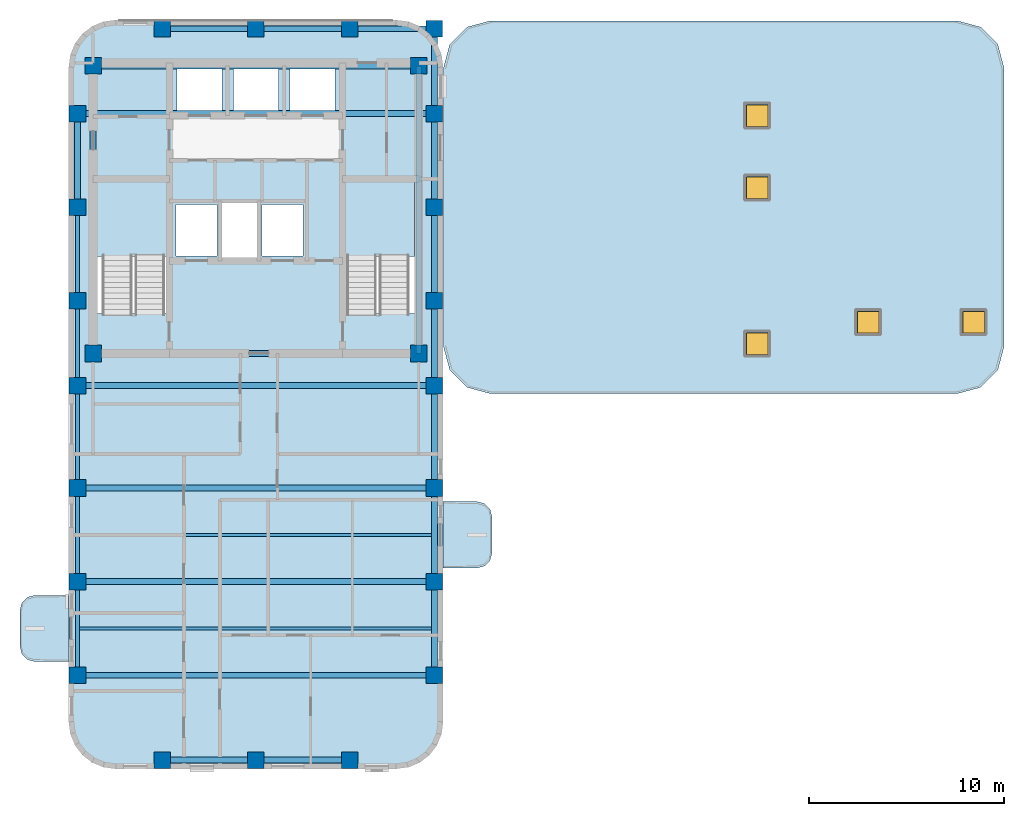
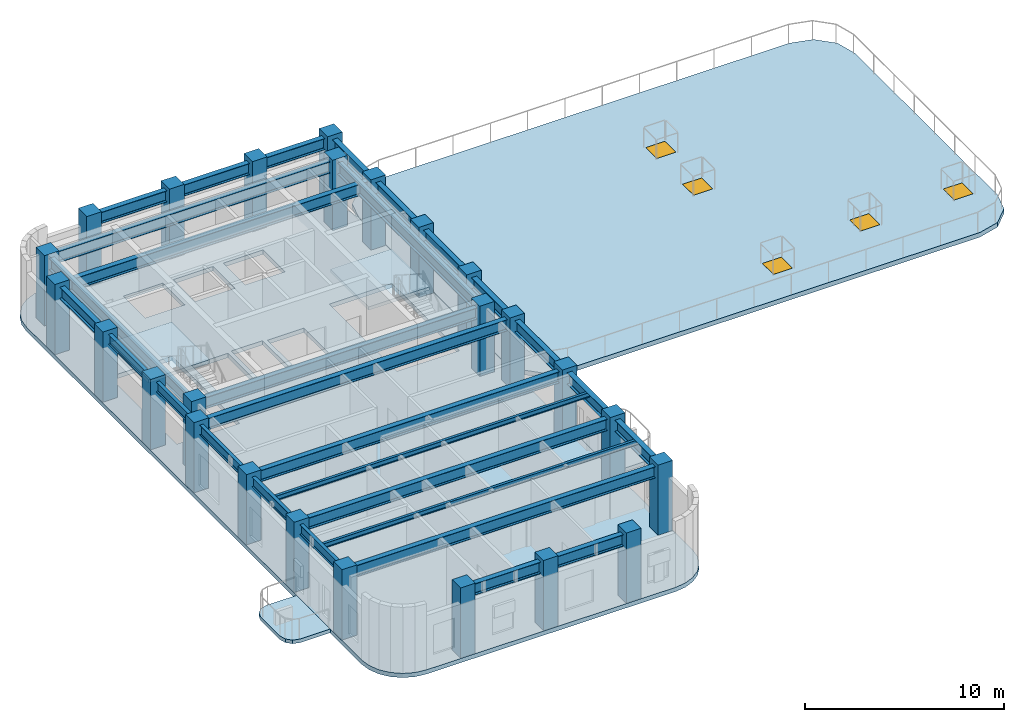
# One storey, part 1 of 7: 29 beams, 25 columns, 6 slabs, 5 windows, 5 openings, 2 elements without a shape of their own.
"""IFC4 building model written with IfcOpenShell, lengths in metres."""

from ifc_helpers import new_model, si_unit, direction, frame, origin, origin_2d, place, context, subcontext, project, spatial, polyline, rectangle, i_section, outline, extrude, material, layer, layer_set, material_profile, profile_set, type_object, element, fill, aggregate, save


model = new_model("IFC4")

# Units and contexts
model_context = context("Model", 3, precision=1e-05, world=origin(), true_north=direction((0.0, 1.0)))
body_context = subcontext(model_context, "Body", "Model", "MODEL_VIEW")
ifc_project = project(units=[si_unit("LENGTHUNIT", "METRE"), si_unit("AREAUNIT", "SQUARE_METRE"), si_unit("VOLUMEUNIT", "CUBIC_METRE"), si_unit("PLANEANGLEUNIT", "RADIAN"), si_unit("MASSUNIT", "GRAM", prefix="KILO")], contexts=[model_context])

# Site, building, storey
site_placement = place(None, origin())
site = spatial("IfcSite", under=ifc_project, at=site_placement, CompositionType="ELEMENT")
building_placement = place(site_placement, origin())
building = spatial("IfcBuilding", under=site, at=building_placement, Name="Orvandelia Arch Residences", CompositionType="ELEMENT")
storey_placement = place(building_placement, frame((0.0, 0.0, 239.800048828125)))
storey = spatial("IfcBuildingStorey", under=building, at=storey_placement, Name="L63", CompositionType="ELEMENT", Elevation=239.800048828125)

# Columns
ifc_material_1 = material(Name="Concrete C60/75", Category="concrete")
ifc_material_profile_1 = material_profile(ifc_material_1, rectangle(XDim=0.85009765625, YDim=0.85009765625, at=origin_2d()), Name="Concrete C60/75", Category="concrete")
ifc_profile_set_1 = profile_set([ifc_material_profile_1], Name="Concrete C60/75")
column_type = type_object("IfcColumnType", Name="COL-TWR-850", PredefinedType="COLUMN", material=ifc_profile_set_1)
for number, where, z_axis, x_axis, name in (
    (1, (5.25, 14.39990234375, 0.0), (0.0, 0.0, 1.0), (1.0, 0.0, 0.0), "Structural Column L63-W-W-144"),
    (2, (5.25, 19.199951171875, 0.0), (0.0, 0.0, 1.0), (1.0, 0.0, 0.0), "Structural Column L63-W-W-192"),
    (3, (5.25, 24.0, 0.0), (0.0, 0.0, 1.0), (1.0, 0.0, 0.0), "Structural Column L63-W-W-240"),
    (4, (5.25, 29.25, 0.0), (0.0, 0.0, 1.0), (1.0, 0.0, 0.0), "Structural Column L63-W-W-292"),
    (5, (5.25, 33.60009765625, 0.0), (0.0, 0.0, 1.0), (1.0, 0.0, 0.0), "Structural Column L63-W-W-336"),
    (6, (5.25, 38.39990234375, 0.0), (0.0, 0.0, 1.0), (1.0, 0.0, 0.0), "Structural Column L63-W-W-384"),
    (7, (5.25, 43.199951171875, 0.0), (0.0, 0.0, 1.0), (1.0, 0.0, 0.0), "Structural Column L63-W-W-432"),
    (8, (6.050048828125, 30.89990234375, 0.0), (0.0, 0.0, 1.0), (1.0, 0.0, 0.0), "Structural Column L63-CR-SW"),
    (9, (6.050048828125, 45.64990234375, 0.0), (0.0, 0.0, 1.0), (1.0, 0.0, 0.0), "Structural Column L63-CR-NW"),
    (10, (9.60009765625, 10.050048828125, 0.0), (0.0, 0.0, 1.0), (1.0, 0.0, 0.0), "Structural Column L63-W-S-96"),
    (11, (9.60009765625, 47.550048828125, 0.0), (0.0, 0.0, 1.0), (1.0, 0.0, 0.0), "Structural Column L63-W-N-96"),
    (12, (14.39990234375, 10.050048828125, 0.0), (0.0, 0.0, 1.0), (1.0, 0.0, 0.0), "Structural Column L63-W-S-144"),
    (13, (14.39990234375, 47.550048828125, 0.0), (0.0, 0.0, 1.0), (1.0, 0.0, 0.0), "Structural Column L63-W-N-144"),
    (14, (19.199951171875, 10.050048828125, 0.0), (0.0, 0.0, 1.0), (1.0, 0.0, 0.0), "Structural Column L63-W-S-192"),
    (15, (19.199951171875, 47.550048828125, 0.0), (0.0, 0.0, 1.0), (1.0, 0.0, 0.0), "Structural Column L63-W-N-192"),
    (16, (22.75, 30.89990234375, 0.0), (0.0, 0.0, 1.0), (1.0, 0.0, 0.0), "Structural Column L63-CR-SE"),
    (17, (22.75, 45.64990234375, 0.0), (0.0, 0.0, 1.0), (1.0, 0.0, 0.0), "Structural Column L63-CR-NE"),
    (18, (23.550048828125, 14.39990234375, 0.0), (0.0, 0.0, 1.0), (1.0, 0.0, 0.0), "Structural Column L63-W-E-144"),
    (19, (23.550048828125, 19.199951171875, 0.0), (0.0, 0.0, 1.0), (1.0, 0.0, 0.0), "Structural Column L63-W-E-192"),
    (20, (23.550048828125, 24.0, 0.0), (0.0, 0.0, 1.0), (1.0, 0.0, 0.0), "Structural Column L63-W-E-240"),
    (21, (23.550048828125, 29.25, 0.0), (0.0, 0.0, 1.0), (1.0, 0.0, 0.0), "Structural Column L63-W-E-292"),
    (22, (23.550048828125, 33.60009765625, 0.0), (0.0, 0.0, 1.0), (1.0, 0.0, 0.0), "Structural Column L63-W-E-336"),
    (23, (23.550048828125, 38.39990234375, 0.0), (0.0, 0.0, 1.0), (1.0, 0.0, 0.0), "Structural Column L63-W-E-384"),
    (24, (23.550048828125, 43.199951171875, 0.0), (0.0, 0.0, 1.0), (1.0, 0.0, 0.0), "Structural Column L63-W-E-432"),
    (25, (23.550048828125, 47.550048828125, 0.0), (0.0, 0.0, 1.0), (1.0, 0.0, 0.0), "Structural Column L63-W-N-235"),
):
    element("IfcColumn", number, at=place(storey_placement, frame(where, z_axis=z_axis, x_axis=x_axis)), inside=storey, type_object=column_type, Name=name, PredefinedType="COLUMN", context=body_context, shape_type="SweptSolid", body=[
        extrude(rectangle(XDim=0.85009765625, YDim=0.85009765625, at=origin_2d()), origin(), (0.0, 0.0, 1.0), 4.300048828125),
    ])

# Beams
ifc_material_2 = material(Name="Structural Steel SM355 (355 MPa)", Category="steel")
ifc_material_profile_2 = material_profile(ifc_material_2, i_section(OverallWidth=0.300048828125, OverallDepth=0.699951171875, WebThickness=0.012939453125, FlangeThickness=0.02392578125, FilletRadius=0.02392578125, at=origin_2d()), Name="Structural Steel SM355 (355 MPa)", Category="steel")
ifc_profile_set_2 = profile_set([ifc_material_profile_2], Name="Structural Steel SM355 (355 MPa)")
beam_type_1 = type_object("IfcBeamType", Name="BM-GRD-H700", PredefinedType="BEAM", material=ifc_profile_set_2)
beam_1_placement = place(storey_placement, frame((5.25, 38.39990234375, 3.68994140625), z_axis=(0.0, 1.0, 0.0), x_axis=(-1.0, 0.0, 0.0)))
element("IfcBeam", 26, at=beam_1_placement, inside=storey, type_object=beam_type_1, Name="Structural Frame Beam L63-NS-006", PredefinedType="BEAM", context=body_context, shape_type="SweptSolid", body=[
    extrude(i_section(OverallWidth=0.300048828125, OverallDepth=0.699951171875, WebThickness=0.012939453125, FlangeThickness=0.02392578125, FilletRadius=0.02392578125, at=origin_2d()), origin(), (0.0, 0.0, 1.0), 4.800048828125),
])
for number, where, z_axis, x_axis, name in (
    (27, (6.050048828125, 30.89990234375, 3.68994140625), (0.0, 1.0, 0.0), (-1.0, 0.0, 0.0), "Structural Frame Beam L63-NS-007"),
    (28, (22.75, 30.89990234375, 3.68994140625), (0.0, 1.0, 0.0), (-1.0, 0.0, 0.0), "Structural Frame Beam L63-NS-008"),
):
    element("IfcBeam", number, at=place(storey_placement, frame(where, z_axis=z_axis, x_axis=x_axis)), inside=storey, type_object=beam_type_1, Name=name, PredefinedType="BEAM", context=body_context, shape_type="SweptSolid", body=[
        extrude(i_section(OverallWidth=0.300048828125, OverallDepth=0.699951171875, WebThickness=0.012939453125, FlangeThickness=0.02392578125, FilletRadius=0.02392578125, at=origin_2d()), origin(), (0.0, 0.0, 1.0), 14.75),
    ])
for number, where, z_axis, x_axis, name in (
    (29, (23.550048828125, 14.39990234375, 3.68994140625), (0.0, 1.0, 0.0), (-1.0, 0.0, 0.0), "Structural Frame Beam L63-NS-009"),
    (30, (23.550048828125, 19.199951171875, 3.68994140625), (0.0, 1.0, 0.0), (-1.0, 0.0, 0.0), "Structural Frame Beam L63-NS-010"),
):
    element("IfcBeam", number, at=place(storey_placement, frame(where, z_axis=z_axis, x_axis=x_axis)), inside=storey, type_object=beam_type_1, Name=name, PredefinedType="BEAM", context=body_context, shape_type="SweptSolid", body=[
        extrude(i_section(OverallWidth=0.300048828125, OverallDepth=0.699951171875, WebThickness=0.012939453125, FlangeThickness=0.02392578125, FilletRadius=0.02392578125, at=origin_2d()), origin(), (0.0, 0.0, 1.0), 4.800048828125),
    ])
beam_2_placement = place(storey_placement, frame((23.550048828125, 24.0, 3.68994140625), z_axis=(0.0, 1.0, 0.0), x_axis=(-1.0, 0.0, 0.0)))
element("IfcBeam", 31, at=beam_2_placement, inside=storey, type_object=beam_type_1, Name="Structural Frame Beam L63-NS-011", PredefinedType="BEAM", context=body_context, shape_type="SweptSolid", body=[
    extrude(i_section(OverallWidth=0.300048828125, OverallDepth=0.699951171875, WebThickness=0.012939453125, FlangeThickness=0.02392578125, FilletRadius=0.02392578125, at=origin_2d()), origin(), (0.0, 0.0, 1.0), 5.25),
])
beam_3_placement = place(storey_placement, frame((23.550048828125, 29.25, 3.68994140625), z_axis=(0.0, 1.0, 0.0), x_axis=(-1.0, 0.0, 0.0)))
element("IfcBeam", 32, at=beam_3_placement, inside=storey, type_object=beam_type_1, Name="Structural Frame Beam L63-NS-012", PredefinedType="BEAM", context=body_context, shape_type="SweptSolid", body=[
    extrude(i_section(OverallWidth=0.300048828125, OverallDepth=0.699951171875, WebThickness=0.012939453125, FlangeThickness=0.02392578125, FilletRadius=0.02392578125, at=origin_2d()), origin(), (0.0, 0.0, 1.0), 4.35009765625),
])
beam_4_placement = place(storey_placement, frame((23.550048828125, 33.60009765625, 3.68994140625), z_axis=(0.0, 1.0, 0.0), x_axis=(-1.0, 0.0, 0.0)))
element("IfcBeam", 33, at=beam_4_placement, inside=storey, type_object=beam_type_1, Name="Structural Frame Beam L63-NS-013", PredefinedType="BEAM", context=body_context, shape_type="SweptSolid", body=[
    extrude(i_section(OverallWidth=0.300048828125, OverallDepth=0.699951171875, WebThickness=0.012939453125, FlangeThickness=0.02392578125, FilletRadius=0.02392578125, at=origin_2d()), origin(), (0.0, 0.0, 1.0), 4.7998046875),
])
beam_5_placement = place(storey_placement, frame((23.550048828125, 38.39990234375, 3.68994140625), z_axis=(0.0, 1.0, 0.0), x_axis=(-1.0, 0.0, 0.0)))
element("IfcBeam", 34, at=beam_5_placement, inside=storey, type_object=beam_type_1, Name="Structural Frame Beam L63-NS-014", PredefinedType="BEAM", context=body_context, shape_type="SweptSolid", body=[
    extrude(i_section(OverallWidth=0.300048828125, OverallDepth=0.699951171875, WebThickness=0.012939453125, FlangeThickness=0.02392578125, FilletRadius=0.02392578125, at=origin_2d()), origin(), (0.0, 0.0, 1.0), 4.800048828125),
])
beam_6_placement = place(storey_placement, frame((23.550048828125, 43.199951171875, 3.68994140625), z_axis=(0.0, 1.0, 0.0), x_axis=(-1.0, 0.0, 0.0)))
element("IfcBeam", 35, at=beam_6_placement, inside=storey, type_object=beam_type_1, Name="Structural Frame Beam L63-NS-015", PredefinedType="BEAM", context=body_context, shape_type="SweptSolid", body=[
    extrude(i_section(OverallWidth=0.300048828125, OverallDepth=0.699951171875, WebThickness=0.012939453125, FlangeThickness=0.02392578125, FilletRadius=0.02392578125, at=origin_2d()), origin(), (0.0, 0.0, 1.0), 4.35009765625),
])
beam_7_placement = place(storey_placement, frame((9.60009765625, 10.050048828125, 3.68994140625), z_axis=(1.0, 0.0, 0.0), x_axis=(0.0, 1.0, 0.0)))
element("IfcBeam", 36, at=beam_7_placement, inside=storey, type_object=beam_type_1, Name="Structural Frame Girder L63-EW-016", PredefinedType="BEAM", context=body_context, shape_type="SweptSolid", body=[
    extrude(i_section(OverallWidth=0.300048828125, OverallDepth=0.699951171875, WebThickness=0.012939453125, FlangeThickness=0.02392578125, FilletRadius=0.02392578125, at=origin_2d()), origin(), (0.0, 0.0, 1.0), 4.7998046875),
])
beam_8_placement = place(storey_placement, frame((14.39990234375, 10.050048828125, 3.68994140625), z_axis=(1.0, 0.0, 0.0), x_axis=(0.0, 1.0, 0.0)))
element("IfcBeam", 37, at=beam_8_placement, inside=storey, type_object=beam_type_1, Name="Structural Frame Girder L63-EW-017", PredefinedType="BEAM", context=body_context, shape_type="SweptSolid", body=[
    extrude(i_section(OverallWidth=0.300048828125, OverallDepth=0.699951171875, WebThickness=0.012939453125, FlangeThickness=0.02392578125, FilletRadius=0.02392578125, at=origin_2d()), origin(), (0.0, 0.0, 1.0), 4.800048828125),
])
for number, where, z_axis, x_axis, name in (
    (38, (5.25, 14.39990234375, 3.68994140625), (1.0, 0.0, 0.0), (0.0, 1.0, 0.0), "Structural Frame Girder L63-EW-018"),
    (39, (5.25, 19.199951171875, 3.68994140625), (1.0, 0.0, 0.0), (0.0, 1.0, 0.0), "Structural Frame Girder L63-EW-019"),
    (40, (5.25, 24.0, 3.68994140625), (1.0, 0.0, 0.0), (0.0, 1.0, 0.0), "Structural Frame Girder L63-EW-020"),
    (41, (5.25, 29.25, 3.68994140625), (1.0, 0.0, 0.0), (0.0, 1.0, 0.0), "Structural Frame Girder L63-EW-021"),
):
    element("IfcBeam", number, at=place(storey_placement, frame(where, z_axis=z_axis, x_axis=x_axis)), inside=storey, type_object=beam_type_1, Name=name, PredefinedType="BEAM", context=body_context, shape_type="SweptSolid", body=[
        extrude(i_section(OverallWidth=0.300048828125, OverallDepth=0.699951171875, WebThickness=0.012939453125, FlangeThickness=0.02392578125, FilletRadius=0.02392578125, at=origin_2d()), origin(), (0.0, 0.0, 1.0), 18.300048828125),
    ])
beam_9_placement = place(storey_placement, frame((6.050048828125, 30.89990234375, 3.68994140625), z_axis=(1.0, 0.0, 0.0), x_axis=(0.0, 1.0, 0.0)))
element("IfcBeam", 42, at=beam_9_placement, inside=storey, type_object=beam_type_1, Name="Structural Frame Girder L63-EW-022", PredefinedType="BEAM", context=body_context, shape_type="SweptSolid", body=[
    extrude(i_section(OverallWidth=0.300048828125, OverallDepth=0.699951171875, WebThickness=0.012939453125, FlangeThickness=0.02392578125, FilletRadius=0.02392578125, at=origin_2d()), origin(), (0.0, 0.0, 1.0), 16.699951171875),
])
beam_10_placement = place(storey_placement, frame((5.25, 43.199951171875, 3.68994140625), z_axis=(1.0, 0.0, 0.0), x_axis=(0.0, 1.0, 0.0)))
element("IfcBeam", 43, at=beam_10_placement, inside=storey, type_object=beam_type_1, Name="Structural Frame Girder L63-EW-025", PredefinedType="BEAM", context=body_context, shape_type="SweptSolid", body=[
    extrude(i_section(OverallWidth=0.300048828125, OverallDepth=0.699951171875, WebThickness=0.012939453125, FlangeThickness=0.02392578125, FilletRadius=0.02392578125, at=origin_2d()), origin(), (0.0, 0.0, 1.0), 18.300048828125),
])
beam_11_placement = place(storey_placement, frame((6.050048828125, 45.64990234375, 3.68994140625), z_axis=(1.0, 0.0, 0.0), x_axis=(0.0, 1.0, 0.0)))
element("IfcBeam", 44, at=beam_11_placement, inside=storey, type_object=beam_type_1, Name="Structural Frame Girder L63-EW-026", PredefinedType="BEAM", context=body_context, shape_type="SweptSolid", body=[
    extrude(i_section(OverallWidth=0.300048828125, OverallDepth=0.699951171875, WebThickness=0.012939453125, FlangeThickness=0.02392578125, FilletRadius=0.02392578125, at=origin_2d()), origin(), (0.0, 0.0, 1.0), 16.699951171875),
])
beam_12_placement = place(storey_placement, frame((9.60009765625, 47.550048828125, 3.68994140625), z_axis=(1.0, 0.0, 0.0), x_axis=(0.0, 1.0, 0.0)))
element("IfcBeam", 45, at=beam_12_placement, inside=storey, type_object=beam_type_1, Name="Structural Frame Girder L63-EW-027", PredefinedType="BEAM", context=body_context, shape_type="SweptSolid", body=[
    extrude(i_section(OverallWidth=0.300048828125, OverallDepth=0.699951171875, WebThickness=0.012939453125, FlangeThickness=0.02392578125, FilletRadius=0.02392578125, at=origin_2d()), origin(), (0.0, 0.0, 1.0), 4.7998046875),
])
beam_13_placement = place(storey_placement, frame((14.39990234375, 47.550048828125, 3.68994140625), z_axis=(1.0, 0.0, 0.0), x_axis=(0.0, 1.0, 0.0)))
element("IfcBeam", 46, at=beam_13_placement, inside=storey, type_object=beam_type_1, Name="Structural Frame Girder L63-EW-028", PredefinedType="BEAM", context=body_context, shape_type="SweptSolid", body=[
    extrude(i_section(OverallWidth=0.300048828125, OverallDepth=0.699951171875, WebThickness=0.012939453125, FlangeThickness=0.02392578125, FilletRadius=0.02392578125, at=origin_2d()), origin(), (0.0, 0.0, 1.0), 4.800048828125),
])
beam_14_placement = place(storey_placement, frame((19.199951171875, 47.550048828125, 3.68994140625), z_axis=(1.0, 0.0, 0.0), x_axis=(0.0, 1.0, 0.0)))
element("IfcBeam", 47, at=beam_14_placement, inside=storey, type_object=beam_type_1, Name="Structural Frame Girder L63-EW-029", PredefinedType="BEAM", context=body_context, shape_type="SweptSolid", body=[
    extrude(i_section(OverallWidth=0.300048828125, OverallDepth=0.699951171875, WebThickness=0.012939453125, FlangeThickness=0.02392578125, FilletRadius=0.02392578125, at=origin_2d()), origin(), (0.0, 0.0, 1.0), 4.35009765625),
])
ifc_material_profile_3 = material_profile(ifc_material_2, i_section(OverallWidth=0.14990234375, OverallDepth=0.300048828125, WebThickness=0.006591796875, FlangeThickness=0.009033203125, FilletRadius=0.012939453125, at=origin_2d()), Name="Structural Steel SM355 (355 MPa)", Category="steel")
ifc_profile_set_3 = profile_set([ifc_material_profile_3], Name="Structural Steel SM355 (355 MPa)")
beam_type_2 = type_object("IfcBeamType", Name="BM-JST-H300", PredefinedType="JOIST", material=ifc_profile_set_3)
for number, where, z_axis, x_axis, name in (
    (48, (5.25, 16.800048828125, 3.889892578125), (1.0, 0.0, 0.0), (0.0, 1.0, 0.0), "Composite Floor Joist L63-J1"),
    (49, (5.25, 21.60009765625, 3.889892578125), (1.0, 0.0, 0.0), (0.0, 1.0, 0.0), "Composite Floor Joist L63-J2"),
):
    element("IfcBeam", number, at=place(storey_placement, frame(where, z_axis=z_axis, x_axis=x_axis)), inside=storey, type_object=beam_type_2, Name=name, PredefinedType="JOIST", context=body_context, shape_type="SweptSolid", body=[
        extrude(i_section(OverallWidth=0.14990234375, OverallDepth=0.300048828125, WebThickness=0.006591796875, FlangeThickness=0.009033203125, FilletRadius=0.012939453125, at=origin_2d()), origin(), (0.0, 0.0, 1.0), 18.300048828125),
    ])
ifc_material_profile_4 = material_profile(ifc_material_2, i_section(OverallWidth=0.199951171875, OverallDepth=0.60009765625, WebThickness=0.010986328125, FlangeThickness=0.01708984375, FilletRadius=0.02197265625, at=origin_2d()), Name="Structural Steel SM355 (355 MPa)", Category="steel")
ifc_profile_set_4 = profile_set([ifc_material_profile_4], Name="Structural Steel SM355 (355 MPa)")
beam_type_3 = type_object("IfcBeamType", Name="BM-SPN-H600", PredefinedType="SPANDREL", material=ifc_profile_set_4)
for number, where, z_axis, x_axis, name in (
    (50, (5.25, 14.39990234375, 3.739990234375), (0.0, 1.0, 0.0), (-1.0, 0.0, 0.0), "Structural Frame Beam L63-NS-001"),
    (51, (5.25, 19.199951171875, 3.739990234375), (0.0, 1.0, 0.0), (-1.0, 0.0, 0.0), "Structural Frame Beam L63-NS-002"),
):
    element("IfcBeam", number, at=place(storey_placement, frame(where, z_axis=z_axis, x_axis=x_axis)), inside=storey, type_object=beam_type_3, Name=name, PredefinedType="SPANDREL", context=body_context, shape_type="SweptSolid", body=[
        extrude(i_section(OverallWidth=0.199951171875, OverallDepth=0.60009765625, WebThickness=0.010986328125, FlangeThickness=0.01708984375, FilletRadius=0.02197265625, at=origin_2d()), origin(), (0.0, 0.0, 1.0), 4.800048828125),
    ])
beam_15_placement = place(storey_placement, frame((5.25, 24.0, 3.739990234375), z_axis=(0.0, 1.0, 0.0), x_axis=(-1.0, 0.0, 0.0)))
element("IfcBeam", 52, at=beam_15_placement, inside=storey, type_object=beam_type_3, Name="Structural Frame Beam L63-NS-003", PredefinedType="SPANDREL", context=body_context, shape_type="SweptSolid", body=[
    extrude(i_section(OverallWidth=0.199951171875, OverallDepth=0.60009765625, WebThickness=0.010986328125, FlangeThickness=0.01708984375, FilletRadius=0.02197265625, at=origin_2d()), origin(), (0.0, 0.0, 1.0), 5.25),
])
beam_16_placement = place(storey_placement, frame((5.25, 29.25, 3.739990234375), z_axis=(0.0, 1.0, 0.0), x_axis=(-1.0, 0.0, 0.0)))
element("IfcBeam", 53, at=beam_16_placement, inside=storey, type_object=beam_type_3, Name="Structural Frame Beam L63-NS-004", PredefinedType="SPANDREL", context=body_context, shape_type="SweptSolid", body=[
    extrude(i_section(OverallWidth=0.199951171875, OverallDepth=0.60009765625, WebThickness=0.010986328125, FlangeThickness=0.01708984375, FilletRadius=0.02197265625, at=origin_2d()), origin(), (0.0, 0.0, 1.0), 4.35009765625),
])
beam_17_placement = place(storey_placement, frame((5.25, 33.60009765625, 3.739990234375), z_axis=(0.0, 1.0, 0.0), x_axis=(-1.0, 0.0, 0.0)))
element("IfcBeam", 54, at=beam_17_placement, inside=storey, type_object=beam_type_3, Name="Structural Frame Beam L63-NS-005", PredefinedType="SPANDREL", context=body_context, shape_type="SweptSolid", body=[
    extrude(i_section(OverallWidth=0.199951171875, OverallDepth=0.60009765625, WebThickness=0.010986328125, FlangeThickness=0.01708984375, FilletRadius=0.02197265625, at=origin_2d()), origin(), (0.0, 0.0, 1.0), 4.7998046875),
])

# Slabs
ifc_material_3 = material(Name="Precast concrete C40/50", Category="concrete")
ifc_layer_1 = layer(ifc_material_3, 0.219970703125, Name="Precast concrete C40/50", Category="concrete")
ifc_layer_set_1 = layer_set([ifc_layer_1], Name="Precast concrete C40/50")
slab_type_1 = type_object("IfcSlabType", Name="SLB-BAL-220", PredefinedType="USERDEFINED", material=ifc_layer_set_1)
slab_1_placement = place(storey_placement, frame((0.0, 0.0, -0.219970703125)))
element("IfcSlab", 55, at=slab_1_placement, inside=storey, type_object=slab_type_1, Name="Tree Balcony Cantilever Slab BAL-L63-W1", ObjectType="BALCONY", PredefinedType="USERDEFINED", context=body_context, shape_type="SweptSolid", body=[
    extrude(outline(polyline([(4.800048828125, 15.10009765625), (4.800048828125, 18.5), (3.050048828125, 18.5), (2.675048828125, 18.3994140625), (2.400390625, 18.125), (2.300048828125, 17.75), (2.300048828125, 15.85009765625), (2.400390625, 15.47509765625), (2.675048828125, 15.200439453125), (3.050048828125, 15.10009765625), (4.800048828125, 15.10009765625)])), origin(), (0.0, 0.0, 1.0), 0.219970703125),
])
slab_2_placement = place(storey_placement, frame((0.0, 0.0, -0.219970703125)))
element("IfcSlab", 56, at=slab_2_placement, inside=storey, type_object=slab_type_1, Name="Tree Balcony Cantilever Slab BAL-L63-W2", ObjectType="BALCONY", PredefinedType="USERDEFINED", context=body_context, shape_type="SweptSolid", body=[
    extrude(outline(polyline([(24.0, 23.300048828125), (24.0, 19.89990234375), (25.75, 19.89990234375), (26.125, 20.00048828125), (26.3994140625, 20.27490234375), (26.5, 20.64990234375), (26.5, 22.550048828125), (26.3994140625, 22.925048828125), (26.125, 23.199462890625), (25.75, 23.300048828125), (24.0, 23.300048828125)])), origin(), (0.0, 0.0, 1.0), 0.219970703125),
])

# Stair, slab
ifc_material_4 = material(Name="Concrete C40/50", Category="concrete")
stair_type = type_object("IfcStairType", Name="STAIR-RC-DOGLEG", PredefinedType="HALF_TURN_STAIR", material=ifc_material_4)
stair_1_placement = place(storey_placement, origin())
stair_1 = element("IfcStair", 57, at=stair_1_placement, inside=storey, type_object=stair_type, Name="L63 Protected Exit Stair ST-1", PredefinedType="HALF_TURN_STAIR")
ifc_layer_2 = layer(ifc_material_4, 0.219970703125, Name="Concrete C40/50", Category="concrete")
ifc_layer_set_2 = layer_set([ifc_layer_2], Name="Concrete C40/50")
slab_type_2 = type_object("IfcSlabType", Name="SLB-LANDING-220", PredefinedType="LANDING", material=ifc_layer_set_2)
slab_3_placement = place(storey_placement, frame((0.0, 0.0, 1.949951171875)))
slab_3 = element("IfcSlab", 58, at=slab_3_placement, type_object=slab_type_2, Name="ST-1 landing 1", PredefinedType="LANDING", context=body_context, shape_type="SweptSolid", body=[
    extrude(outline(polyline([(9.800048828125, 35.8701171875), (9.800048828125, 39.68994140625), (6.260009765625, 39.68994140625), (6.260009765625, 35.8701171875), (9.800048828125, 35.8701171875)])), origin(), (0.0, 0.0, 1.0), 0.199951171875),
])
aggregate(stair_1, [slab_3])

stair_2_placement = place(storey_placement, origin())
stair_2 = element("IfcStair", 59, at=stair_2_placement, inside=storey, type_object=stair_type, Name="L63 Protected Exit Stair ST-2", PredefinedType="HALF_TURN_STAIR")
slab_4_placement = place(storey_placement, frame((0.0, 0.0, 1.949951171875)))
slab_4 = element("IfcSlab", 60, at=slab_4_placement, type_object=slab_type_2, Name="ST-2 landing 1", PredefinedType="LANDING", context=body_context, shape_type="SweptSolid", body=[
    extrude(outline(polyline([(22.5400390625, 35.8701171875), (22.5400390625, 39.68994140625), (19.0, 39.68994140625), (19.0, 35.8701171875), (22.5400390625, 35.8701171875)])), origin(), (0.0, 0.0, 1.0), 0.199951171875),
])
aggregate(stair_2, [slab_4])

# Slab, openings, windows
ifc_layer_3 = layer(ifc_material_4, 0.280029296875, Name="Concrete C40/50", Category="concrete")
ifc_layer_set_3 = layer_set([ifc_layer_3], Name="Concrete C40/50")
slab_type_3 = type_object("IfcSlabType", Name="SLB-TERR-280", PredefinedType="ROOF", material=ifc_layer_set_3)
slab_5_placement = place(storey_placement, frame((0.0, 0.0, -0.280029296875)))
slab_5 = element("IfcSlab", 61, at=slab_5_placement, inside=storey, type_object=slab_type_3, Name="Planted Sky Terrace Slab TERR-L63-EASTWING", PredefinedType="ROOF", context=body_context, shape_type="SweptSolid", body=[
    extrude(outline(polyline([(24.02001953125, 31.239990234375), (24.341552734375, 30.0400390625), (25.219970703125, 29.16162109375), (26.419921875, 28.840087890625), (50.360107421875, 28.840087890625), (51.56005859375, 29.16162109375), (52.4384765625, 30.0400390625), (52.760009765625, 31.239990234375), (52.760009765625, 45.56005859375), (52.4384765625, 46.760009765625), (51.56005859375, 47.638427734375), (50.360107421875, 47.9599609375), (26.419921875, 47.9599609375), (25.219970703125, 47.638427734375), (24.341552734375, 46.760009765625), (24.02001953125, 45.56005859375), (24.02001953125, 31.239990234375)])), origin(), (0.0, 0.0, 1.0), 0.280029296875),
])
opening_1_placement = place(slab_5_placement, frame((40.10009765625, 31.39990234375, -0.010009765625)))
opening_1 = element("IfcOpeningElement", 62, at=opening_1_placement, cuts=slab_5, Name="Opening SK1", PredefinedType="OPENING", context=body_context, shape_type="SweptSolid", body=[
    extrude(rectangle(XDim=1.10009765625, YDim=1.10009765625, at=origin_2d()), origin(), (0.0, 0.0, 1.0), 0.300048828125),
])
opening_2_placement = place(slab_5_placement, frame((40.10009765625, 39.39990234375, -0.010009765625)))
opening_2 = element("IfcOpeningElement", 63, at=opening_2_placement, cuts=slab_5, Name="Opening SK1", PredefinedType="OPENING", context=body_context, shape_type="SweptSolid", body=[
    extrude(rectangle(XDim=1.10009765625, YDim=1.10009765625, at=origin_2d()), origin(), (0.0, 0.0, 1.0), 0.300048828125),
])
opening_3_placement = place(slab_5_placement, frame((40.10009765625, 43.10009765625, -0.010009765625)))
opening_3 = element("IfcOpeningElement", 64, at=opening_3_placement, cuts=slab_5, Name="Opening SK1", PredefinedType="OPENING", context=body_context, shape_type="SweptSolid", body=[
    extrude(rectangle(XDim=1.10009765625, YDim=1.10009765625, at=origin_2d()), origin(), (0.0, 0.0, 1.0), 0.300048828125),
])
opening_4_placement = place(slab_5_placement, frame((45.800048828125, 32.5, -0.010009765625)))
opening_4 = element("IfcOpeningElement", 65, at=opening_4_placement, cuts=slab_5, Name="Opening SK1", PredefinedType="OPENING", context=body_context, shape_type="SweptSolid", body=[
    extrude(rectangle(XDim=1.10009765625, YDim=1.10009765625, at=origin_2d()), origin(), (0.0, 0.0, 1.0), 0.300048828125),
])
opening_5_placement = place(slab_5_placement, frame((51.199951171875, 32.5, -0.010009765625)))
opening_5 = element("IfcOpeningElement", 66, at=opening_5_placement, cuts=slab_5, Name="Opening SK1", PredefinedType="OPENING", context=body_context, shape_type="SweptSolid", body=[
    extrude(rectangle(XDim=1.10009765625, YDim=1.10009765625, at=origin_2d()), origin(), (0.0, 0.0, 1.0), 0.300048828125),
])
ifc_material_5 = material(Name="Louvred Acoustic Weatherproof Glazing", Category="glass")
window_type = type_object("IfcWindowType", Name="SKY-HATCH-1100x1100", PartitioningType="SINGLE_PANEL", PredefinedType="SKYLIGHT", material=ifc_material_5)
window_1_placement = place(opening_1_placement, frame((0.0, 0.0, 0.239990234375)))
window_1 = element("IfcWindow", 67, at=window_1_placement, inside=storey, type_object=window_type, Name="East Setback Roof Acoustic Skylight SK1-1", OverallHeight=1.10009765625, OverallWidth=1.10009765625, PartitioningType="SINGLE_PANEL", PredefinedType="SKYLIGHT", context=body_context, shape_type="SweptSolid", body=[
    extrude(rectangle(XDim=1.10009765625, YDim=1.10009765625, at=origin_2d()), origin(), (0.0, 0.0, 1.0), 0.050048828125),
])
fill(opening_1, window_1)
window_2_placement = place(opening_2_placement, frame((0.0, 0.0, 0.239990234375)))
window_2 = element("IfcWindow", 68, at=window_2_placement, inside=storey, type_object=window_type, Name="East Setback Roof Acoustic Skylight SK1-2", OverallHeight=1.10009765625, OverallWidth=1.10009765625, PartitioningType="SINGLE_PANEL", PredefinedType="SKYLIGHT", context=body_context, shape_type="SweptSolid", body=[
    extrude(rectangle(XDim=1.10009765625, YDim=1.10009765625, at=origin_2d()), origin(), (0.0, 0.0, 1.0), 0.050048828125),
])
fill(opening_2, window_2)
window_3_placement = place(opening_3_placement, frame((0.0, 0.0, 0.239990234375)))
window_3 = element("IfcWindow", 69, at=window_3_placement, inside=storey, type_object=window_type, Name="East Setback Roof Acoustic Skylight SK1-3", OverallHeight=1.10009765625, OverallWidth=1.10009765625, PartitioningType="SINGLE_PANEL", PredefinedType="SKYLIGHT", context=body_context, shape_type="SweptSolid", body=[
    extrude(rectangle(XDim=1.10009765625, YDim=1.10009765625, at=origin_2d()), origin(), (0.0, 0.0, 1.0), 0.050048828125),
])
fill(opening_3, window_3)
window_4_placement = place(opening_4_placement, frame((0.0, 0.0, 0.239990234375)))
window_4 = element("IfcWindow", 70, at=window_4_placement, inside=storey, type_object=window_type, Name="East Setback Roof Acoustic Skylight SK1-4", OverallHeight=1.10009765625, OverallWidth=1.10009765625, PartitioningType="SINGLE_PANEL", PredefinedType="SKYLIGHT", context=body_context, shape_type="SweptSolid", body=[
    extrude(rectangle(XDim=1.10009765625, YDim=1.10009765625, at=origin_2d()), origin(), (0.0, 0.0, 1.0), 0.050048828125),
])
fill(opening_4, window_4)
window_5_placement = place(opening_5_placement, frame((0.0, 0.0, 0.239990234375)))
window_5 = element("IfcWindow", 71, at=window_5_placement, inside=storey, type_object=window_type, Name="East Setback Roof Acoustic Skylight SK1-5", OverallHeight=1.10009765625, OverallWidth=1.10009765625, PartitioningType="SINGLE_PANEL", PredefinedType="SKYLIGHT", context=body_context, shape_type="SweptSolid", body=[
    extrude(rectangle(XDim=1.10009765625, YDim=1.10009765625, at=origin_2d()), origin(), (0.0, 0.0, 1.0), 0.050048828125),
])
fill(opening_5, window_5)

# Slab
ifc_layer_4 = layer(ifc_material_4, 0.260009765625, Name="Concrete C40/50", Category="concrete")
ifc_layer_set_4 = layer_set([ifc_layer_4], Name="Concrete C40/50")
slab_type_4 = type_object("IfcSlabType", Name="SLB-TWR-260", PredefinedType="FLOOR", material=ifc_layer_set_4)
slab_6_placement = place(storey_placement, frame((0.0, 0.0, -0.260009765625)))
element("IfcSlab", 72, at=slab_6_placement, inside=storey, type_object=slab_type_4, Name="Structural Floor Slab L63-1", PredefinedType="FLOOR", context=body_context, shape_type="SweptSolid", body=[
    extrude(outline(polyline([(4.800048828125, 12.0), (4.8818359375, 11.37890625), (5.12158203125, 10.800048828125), (5.5029296875, 10.302978515625), (6.0, 9.92138671875), (6.578857421875, 9.681884765625), (7.199951171875, 9.60009765625), (21.60009765625, 9.60009765625), (22.22119140625, 9.681884765625), (22.800048828125, 9.92138671875), (23.297119140625, 10.302978515625), (23.678466796875, 10.800048828125), (23.918212890625, 11.37890625), (24.0, 12.0), (24.0, 45.60009765625), (23.918212890625, 46.22119140625), (23.678466796875, 46.800048828125), (23.297119140625, 47.297119140625), (22.800048828125, 47.678466796875), (22.22119140625, 47.918212890625), (21.60009765625, 48.0), (7.199951171875, 48.0), (6.578857421875, 47.918212890625), (6.0, 47.678466796875), (5.5029296875, 47.297119140625), (5.12158203125, 46.800048828125), (4.8818359375, 46.22119140625), (4.800048828125, 45.60009765625), (4.800048828125, 12.0)]), holes=[polyline([(6.219970703125, 32.949951171875), (9.840087890625, 32.949951171875), (9.840087890625, 39.72998046875), (6.219970703125, 39.72998046875), (6.219970703125, 32.949951171875)]), polyline([(18.9599609375, 32.949951171875), (22.580078125, 32.949951171875), (22.580078125, 39.72998046875), (18.9599609375, 39.72998046875), (18.9599609375, 32.949951171875)]), polyline([(12.639892578125, 35.81005859375), (14.4599609375, 35.81005859375), (14.4599609375, 38.639892578125), (12.639892578125, 38.639892578125), (12.639892578125, 35.81005859375)]), polyline([(10.300048828125, 35.89990234375), (12.39990234375, 35.89990234375), (12.39990234375, 38.550048828125), (10.300048828125, 38.550048828125), (10.300048828125, 35.89990234375)]), polyline([(14.699951171875, 35.89990234375), (16.800048828125, 35.89990234375), (16.800048828125, 38.550048828125), (14.699951171875, 38.550048828125), (14.699951171875, 35.89990234375)]), polyline([(10.35009765625, 43.300048828125), (12.64990234375, 43.300048828125), (12.64990234375, 45.5), (10.35009765625, 45.5), (10.35009765625, 43.300048828125)]), polyline([(13.25, 43.300048828125), (15.550048828125, 43.300048828125), (15.550048828125, 45.5), (13.25, 45.5), (13.25, 43.300048828125)]), polyline([(16.14990234375, 43.300048828125), (18.449951171875, 43.300048828125), (18.449951171875, 45.5), (16.14990234375, 45.5), (16.14990234375, 43.300048828125)])]), origin(), (0.0, 0.0, 1.0), 0.260009765625),
])

save(model, "model.ifc")
